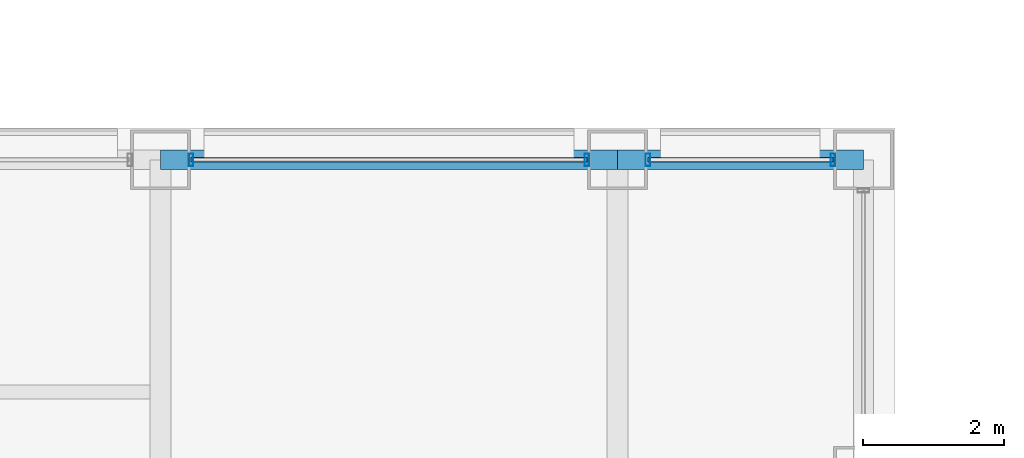
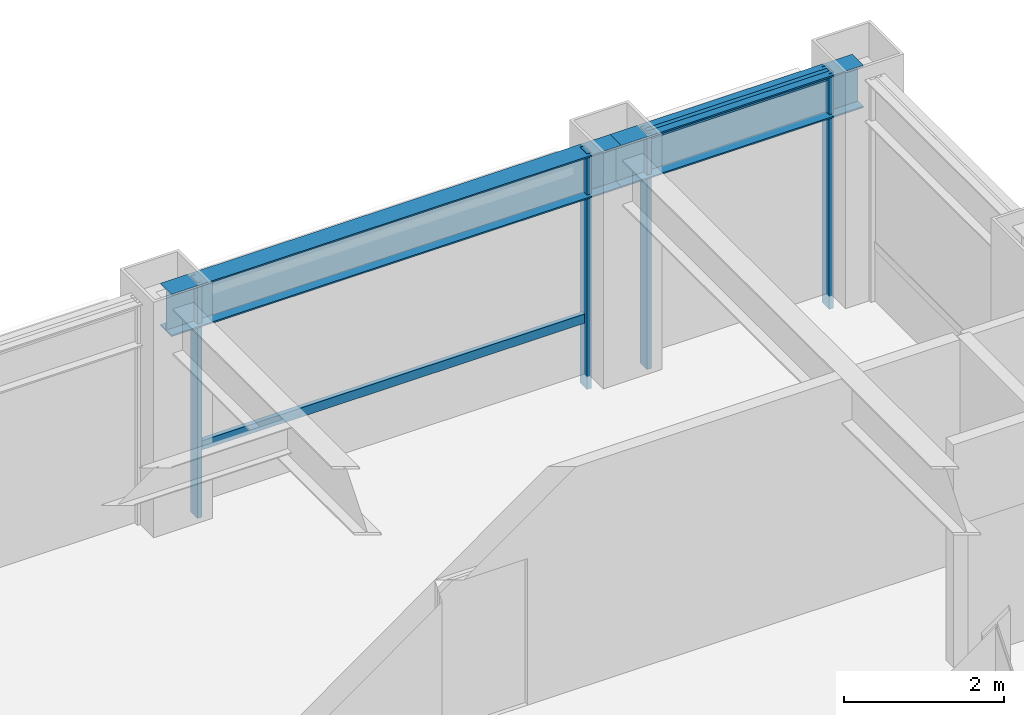
# One storey, part 28 of 34: 6 members, 2 beams, 2 elements without a shape of their own.
"""IFC4 building model written with IfcOpenShell, lengths in metres."""

from ifc_helpers import new_model, si_unit, direction, frame, origin, origin_2d, place, context, subcontext, project, spatial, hollow_rectangle, i_section, extrude, material, layer, layer_set, material_profile, profile_set, type_object, element, aggregate, save


model = new_model("IFC4")

# Units and contexts
model_context = context("Model", 3, precision=1e-05, world=origin(), true_north=direction((0.0, 1.0)))
body_context = subcontext(model_context, "Body", "Model", "MODEL_VIEW")
ifc_project = project(units=[si_unit("LENGTHUNIT", "METRE"), si_unit("AREAUNIT", "SQUARE_METRE"), si_unit("VOLUMEUNIT", "CUBIC_METRE"), si_unit("PLANEANGLEUNIT", "RADIAN"), si_unit("MASSUNIT", "GRAM", prefix="KILO")], contexts=[model_context])

# Site, building, storey
site_placement = place(None, origin())
site = spatial("IfcSite", under=ifc_project, at=site_placement, CompositionType="ELEMENT")
building_placement = place(site_placement, origin())
building = spatial("IfcBuilding", under=site, at=building_placement, Name="Brelmoor Portico Tower", CompositionType="ELEMENT")
storey_placement = place(building_placement, frame((0.0, 0.0, 117.0)))
storey = spatial("IfcBuildingStorey", under=building, at=storey_placement, Name="L30", CompositionType="ELEMENT", Elevation=117.0)

# Beams
ifc_material_1 = material(Name="Steel Q355B", Category="steel")
ifc_material_profile_1 = material_profile(ifc_material_1, i_section(OverallWidth=0.280029296875, OverallDepth=0.64990234375, WebThickness=0.012939453125, FlangeThickness=0.02197265625, at=origin_2d()), Name="HN 650x280x13x22")
ifc_profile_set_1 = profile_set([ifc_material_profile_1], Name="Steel Q355B")
beam_type = type_object("IfcBeamType", Name="BM-SP-650", PredefinedType="SPANDREL", material=ifc_profile_set_1)
beam_1_placement = place(storey_placement, frame((8.050048828125, 19.550048828125, 3.074951171875), z_axis=(1.0, 0.0, 0.0), x_axis=(0.0, 1.0, 0.0)))
element("IfcBeam", 1, at=beam_1_placement, inside=storey, type_object=beam_type, Name="L30 Perimeter Spandrel Beam SP-13", PredefinedType="SPANDREL", context=body_context, shape_type="SweptSolid", body=[
    extrude(i_section(OverallWidth=0.280029296875, OverallDepth=0.64990234375, WebThickness=0.012939453125, FlangeThickness=0.02197265625, at=origin_2d()), origin(), (0.0, 0.0, 1.0), 6.5),
])
beam_2_placement = place(storey_placement, frame((14.550048828125, 19.550048828125, 3.074951171875), z_axis=(1.0, 0.0, 0.0), x_axis=(0.0, 1.0, 0.0)))
element("IfcBeam", 2, at=beam_2_placement, inside=storey, type_object=beam_type, Name="L30 Perimeter Spandrel Beam SP-14", PredefinedType="SPANDREL", context=body_context, shape_type="SweptSolid", body=[
    extrude(i_section(OverallWidth=0.280029296875, OverallDepth=0.64990234375, WebThickness=0.012939453125, FlangeThickness=0.02197265625, at=origin_2d()), origin(), (0.0, 0.0, 1.0), 3.5),
])

# Curtain wall, members
ifc_material_2 = material(Name="Anodised Aluminium Alloy 6063-T6", Category="aluminium")
ifc_layer_1 = layer(ifc_material_2, 0.179931640625)
ifc_layer_set_1 = layer_set([ifc_layer_1], Name="Anodised Aluminium Alloy 6063-T6")
curtain_wall_type_1 = type_object("IfcCurtainWallType", Name="CW-TOWER-Z2", PredefinedType="NOTDEFINED", material=ifc_layer_set_1)
curtain_wall_1_placement = place(storey_placement, origin())
curtain_wall_1 = element("IfcCurtainWall", 3, at=curtain_wall_1_placement, inside=storey, type_object=curtain_wall_type_1, Name="L30 Curtain Wall CW-L30-02-4", PredefinedType="NOTDEFINED")
ifc_material_profile_2 = material_profile(ifc_material_2, hollow_rectangle(XDim=0.06494140625, YDim=0.179931640625, WallThickness=0.00390625, at=origin_2d()), Name="ALU MULLION 65x180")
ifc_profile_set_2 = profile_set([ifc_material_profile_2], Name="Anodised Aluminium Alloy 6063-T6")
member_type_1 = type_object("IfcMemberType", Name="MB-CW-MULL-180", PredefinedType="MULLION", material=ifc_profile_set_2)
member_1_placement = place(storey_placement, frame((8.485107421875, 19.550048828125, -0.199951171875), z_axis=(0.0, 0.0, 1.0), x_axis=(1.0, 0.0, 0.0)))
member_1 = element("IfcMember", 4, at=member_1_placement, type_object=member_type_1, Name="CW-L30-02-4 Mullion 00", PredefinedType="MULLION", context=body_context, shape_type="SweptSolid", body=[
    extrude(hollow_rectangle(XDim=0.06494140625, YDim=0.179931640625, WallThickness=0.00390625, at=origin_2d()), origin(), (0.0, 0.0, 1.0), 3.599853515625),
])
member_2_placement = place(storey_placement, frame((14.114990234375, 19.550048828125, -0.199951171875), z_axis=(0.0, 0.0, 1.0), x_axis=(1.0, 0.0, 0.0)))
member_2 = element("IfcMember", 5, at=member_2_placement, type_object=member_type_1, Name="CW-L30-02-4 Mullion 01", PredefinedType="MULLION", context=body_context, shape_type="SweptSolid", body=[
    extrude(hollow_rectangle(XDim=0.06494140625, YDim=0.179931640625, WallThickness=0.00390625, at=origin_2d()), origin(), (0.0, 0.0, 1.0), 3.599853515625),
])

ifc_layer_2 = layer(ifc_material_2, 0.179931640625)
ifc_layer_set_2 = layer_set([ifc_layer_2], Name="Anodised Aluminium Alloy 6063-T6")
curtain_wall_type_2 = type_object("IfcCurtainWallType", Name="CW-TOWER-Z2-XB", PredefinedType="NOTDEFINED", material=ifc_layer_set_2)
curtain_wall_2_placement = place(storey_placement, origin())
curtain_wall_2 = element("IfcCurtainWall", 6, at=curtain_wall_2_placement, inside=storey, type_object=curtain_wall_type_2, Name="L30 Curtain Wall CW-L30-02-5", PredefinedType="NOTDEFINED")
member_3_placement = place(storey_placement, frame((14.985107421875, 19.550048828125, -0.199951171875), z_axis=(0.0, 0.0, 1.0), x_axis=(1.0, 0.0, 0.0)))
member_3 = element("IfcMember", 7, at=member_3_placement, type_object=member_type_1, Name="CW-L30-02-5 Mullion 00", PredefinedType="MULLION", context=body_context, shape_type="SweptSolid", body=[
    extrude(hollow_rectangle(XDim=0.06494140625, YDim=0.179931640625, WallThickness=0.00390625, at=origin_2d()), origin(), (0.0, 0.0, 1.0), 3.599853515625),
])
member_4_placement = place(storey_placement, frame((17.614990234375, 19.550048828125, -0.199951171875), z_axis=(0.0, 0.0, 1.0), x_axis=(1.0, 0.0, 0.0)))
member_4 = element("IfcMember", 8, at=member_4_placement, type_object=member_type_1, Name="CW-L30-02-5 Mullion 01", PredefinedType="MULLION", context=body_context, shape_type="SweptSolid", body=[
    extrude(hollow_rectangle(XDim=0.06494140625, YDim=0.179931640625, WallThickness=0.00390625, at=origin_2d()), origin(), (0.0, 0.0, 1.0), 3.599853515625),
])

# Member
ifc_material_profile_3 = material_profile(ifc_material_2, hollow_rectangle(XDim=0.06494140625, YDim=0.139892578125, WallThickness=0.00390625, at=origin_2d()), Name="ALU TRANSOM 65x140")
ifc_profile_set_3 = profile_set([ifc_material_profile_3], Name="Anodised Aluminium Alloy 6063-T6")
member_type_2 = type_object("IfcMemberType", Name="MB-CW-TRAN-140", PredefinedType="USERDEFINED", material=ifc_profile_set_3)
member_5_placement = place(storey_placement, frame((8.485107421875, 19.550048828125, 0.85009765625), z_axis=(1.0, 0.0, 0.0), x_axis=(0.0, 1.0, 0.0)))
member_5 = element("IfcMember", 9, at=member_5_placement, type_object=member_type_2, Name="CW-L30-02-4 Transom 1-00", ObjectType="TRANSOM", PredefinedType="USERDEFINED", context=body_context, shape_type="SweptSolid", body=[
    extrude(hollow_rectangle(XDim=0.06494140625, YDim=0.139892578125, WallThickness=0.00390625, at=origin_2d()), origin(), (0.0, 0.0, 1.0), 5.6298828125),
])

aggregate(curtain_wall_1, [member_1, member_2, member_5])

member_6_placement = place(storey_placement, frame((14.985107421875, 19.550048828125, 3.330078125), z_axis=(1.0, 0.0, 0.0), x_axis=(0.0, 1.0, 0.0)))
member_6 = element("IfcMember", 10, at=member_6_placement, type_object=member_type_2, Name="CW-L30-02-5 Transom 1-00", ObjectType="TRANSOM", PredefinedType="USERDEFINED", context=body_context, shape_type="SweptSolid", body=[
    extrude(hollow_rectangle(XDim=0.06494140625, YDim=0.139892578125, WallThickness=0.00390625, at=origin_2d()), origin(), (0.0, 0.0, 1.0), 2.6298828125),
])

aggregate(curtain_wall_2, [member_3, member_4, member_6])

save(model, "model.ifc")
